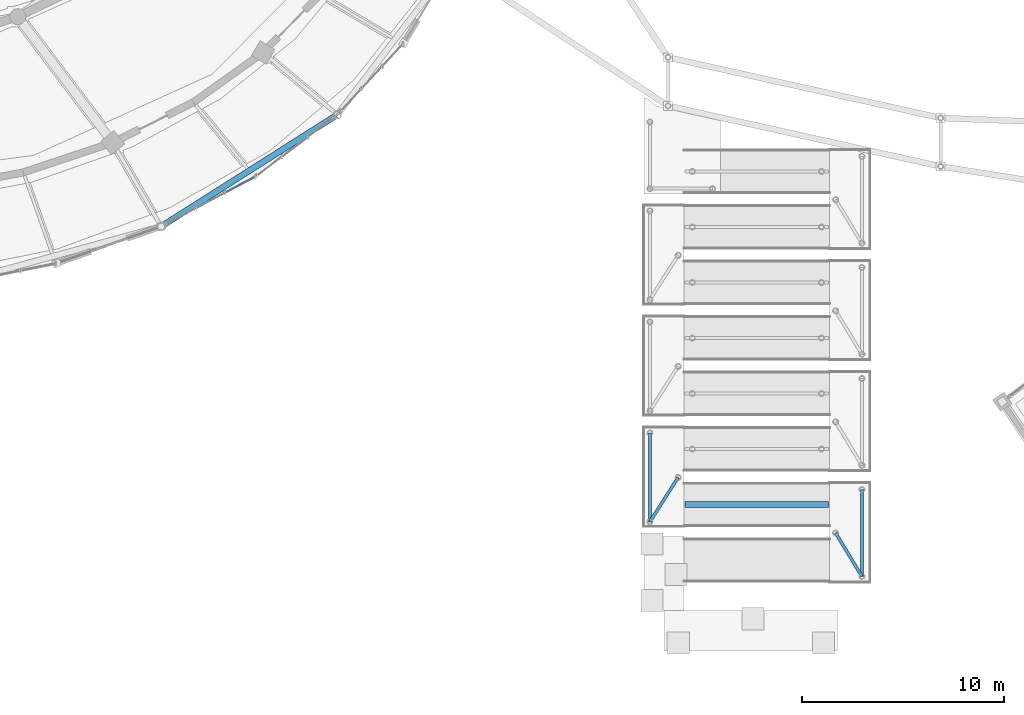
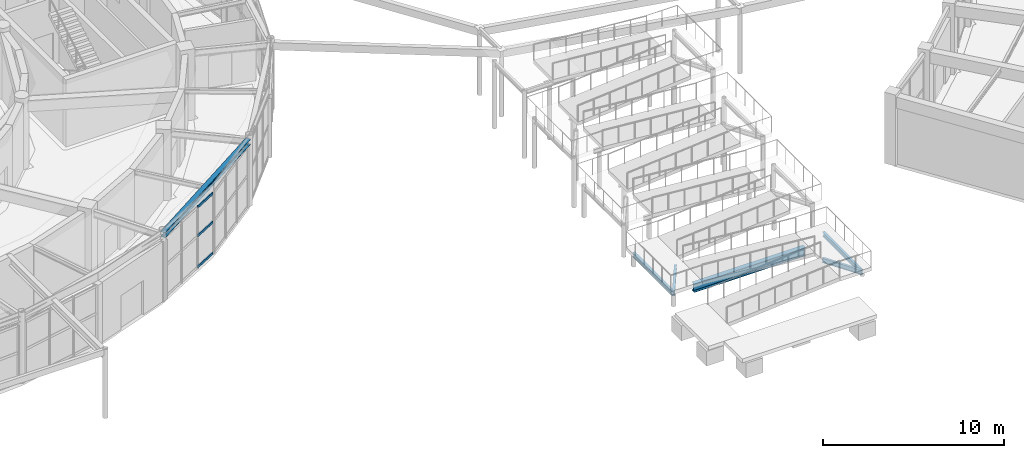
# One storey, part 40 of 108: 6 beams, 3 members, 1 element without a shape of its own.
"""IFC4 building model written with IfcOpenShell, lengths in metres."""

from ifc_helpers import new_model, si_unit, direction, frame, origin, origin_2d, place, context, subcontext, project, spatial, hollow_rectangle, i_section, extrude, material, material_profile, profile_set, type_object, element, aggregate, save


model = new_model("IFC4")

# Units and contexts
model_context = context("Model", 3, precision=1e-05, world=origin(), true_north=direction((0.0, 1.0)))
body_context = subcontext(model_context, "Body", "Model", "MODEL_VIEW")
ifc_project = project(units=[si_unit("LENGTHUNIT", "METRE"), si_unit("AREAUNIT", "SQUARE_METRE"), si_unit("VOLUMEUNIT", "CUBIC_METRE"), si_unit("PLANEANGLEUNIT", "RADIAN"), si_unit("MASSUNIT", "GRAM", prefix="KILO")], contexts=[model_context])

# Site, building, storey
site_placement = place(None, origin())
site = spatial("IfcSite", under=ifc_project, at=site_placement, CompositionType="ELEMENT")
building_placement = place(site_placement, origin())
building = spatial("IfcBuilding", under=site, at=building_placement, Name="Tarnveldt Headland Concert Hall", CompositionType="ELEMENT")
storey_placement = place(building_placement, origin())
storey = spatial("IfcBuildingStorey", under=building, at=storey_placement, Name="L00", CompositionType="ELEMENT", Elevation=0.0)

# Beams
ifc_material_1 = material(Name="Steel S355", Category="steel")
ifc_material_profile_1 = material_profile(ifc_material_1, i_section(OverallWidth=0.300048828125, OverallDepth=0.35009765625, WebThickness=0.010009765625, FlangeThickness=0.017578125, FilletRadius=0.027099609375, at=origin_2d()), Name="HEA360", Category="steel")
ifc_profile_set_1 = profile_set([ifc_material_profile_1], Name="Steel S355")
beam_type_1 = type_object("IfcBeamType", Name="SB-HEA360", PredefinedType="SPANDREL", material=ifc_profile_set_1)
beam_1_placement = place(storey_placement, frame((99.95068359375, 33.0546875, 4.344970703125), z_axis=(0.844390967344, 0.535727444012, 0.0), x_axis=(-0.535727444012, 0.844390967344, 0.0)))
element("IfcBeam", 1, at=beam_1_placement, inside=storey, type_object=beam_type_1, Name="Framing beam L00-391", PredefinedType="SPANDREL", context=body_context, shape_type="SweptSolid", body=[
    extrude(i_section(OverallWidth=0.300048828125, OverallDepth=0.35009765625, WebThickness=0.010009765625, FlangeThickness=0.017578125, FilletRadius=0.027099609375, at=origin_2d()), origin(), (0.0, 0.0, 1.0), 10.21435546875),
])
ifc_material_profile_2 = material_profile(ifc_material_1, i_section(OverallWidth=0.300048828125, OverallDepth=0.550048828125, WebThickness=0.014892578125, FlangeThickness=0.029052734375, FilletRadius=0.027099609375, at=origin_2d()), Name="HEB550", Category="steel")
ifc_profile_set_2 = profile_set([ifc_material_profile_2], Name="Steel S355")
beam_type_2 = type_object("IfcBeamType", Name="SB-HEB550", PredefinedType="BEAM", material=ifc_profile_set_2)
beam_2_placement = place(storey_placement, frame((125.85009765625, 19.25, 0.10009765625), z_axis=(1.0, 0.0, 0.0), x_axis=(0.0, 1.0, 0.0)))
element("IfcBeam", 2, at=beam_2_placement, inside=storey, type_object=beam_type_2, Name="Ramp flight 2 carrier beam", PredefinedType="BEAM", context=body_context, shape_type="SweptSolid", body=[
    extrude(i_section(OverallWidth=0.300048828125, OverallDepth=0.550048828125, WebThickness=0.014892578125, FlangeThickness=0.029052734375, FilletRadius=0.027099609375, at=origin_2d()), origin(), (0.0, 0.0, 1.0), 7.099853515625),
])
ifc_material_profile_3 = material_profile(ifc_material_1, i_section(OverallWidth=0.14990234375, OverallDepth=0.300048828125, WebThickness=0.007080078125, FlangeThickness=0.0107421875, FilletRadius=0.014892578125, at=origin_2d()), Name="IPE300", Category="steel")
ifc_profile_set_3 = profile_set([ifc_material_profile_3], Name="Steel S355")
beam_type_3 = type_object("IfcBeamType", Name="SB-IPE300", PredefinedType="JOIST", material=ifc_profile_set_3)
beam_3_placement = place(storey_placement, frame((134.60009765625, 15.699951171875, 0.199951171875), z_axis=(0.0, 1.0, 0.0), x_axis=(-1.0, 0.0, 0.0)))
element("IfcBeam", 3, at=beam_3_placement, inside=storey, type_object=beam_type_3, Name="Ramp landing support beam E1S1", PredefinedType="JOIST", context=body_context, shape_type="SweptSolid", body=[
    extrude(i_section(OverallWidth=0.14990234375, OverallDepth=0.300048828125, WebThickness=0.007080078125, FlangeThickness=0.0107421875, FilletRadius=0.014892578125, at=origin_2d()), origin(), (0.0, 0.0, 1.0), 4.300048828125),
])
beam_4_placement = place(storey_placement, frame((133.300048828125, 17.85009765625, 0.199951171875), z_axis=(0.517407755932, -0.855738987134, 0.0), x_axis=(0.855738987134, 0.517407755932, 0.0)))
element("IfcBeam", 4, at=beam_4_placement, inside=storey, type_object=beam_type_3, Name="Ramp landing support beam E1S2", PredefinedType="JOIST", context=body_context, shape_type="SweptSolid", body=[
    extrude(i_section(OverallWidth=0.14990234375, OverallDepth=0.300048828125, WebThickness=0.007080078125, FlangeThickness=0.0107421875, FilletRadius=0.014892578125, at=origin_2d()), origin(), (0.0, 0.0, 1.0), 2.5126953125),
])
beam_5_placement = place(storey_placement, frame((124.10009765625, 18.39990234375, 0.800048828125), z_axis=(0.0, 1.0, 0.0), x_axis=(-1.0, 0.0, 0.0)))
element("IfcBeam", 5, at=beam_5_placement, inside=storey, type_object=beam_type_3, Name="Ramp landing support beam W1S1", PredefinedType="JOIST", context=body_context, shape_type="SweptSolid", body=[
    extrude(i_section(OverallWidth=0.14990234375, OverallDepth=0.300048828125, WebThickness=0.007080078125, FlangeThickness=0.0107421875, FilletRadius=0.014892578125, at=origin_2d()), origin(), (0.0, 0.0, 1.0), 4.400146484375),
])
beam_6_placement = place(storey_placement, frame((125.5, 20.60009765625, 0.800048828125), z_axis=(-0.536814913407, -0.843700034813, 0.0), x_axis=(0.843700034813, -0.536814913407, 0.0)))
element("IfcBeam", 6, at=beam_6_placement, inside=storey, type_object=beam_type_3, Name="Ramp landing support beam W1S2", PredefinedType="JOIST", context=body_context, shape_type="SweptSolid", body=[
    extrude(i_section(OverallWidth=0.14990234375, OverallDepth=0.300048828125, WebThickness=0.007080078125, FlangeThickness=0.0107421875, FilletRadius=0.014892578125, at=origin_2d()), origin(), (0.0, 0.0, 1.0), 2.60791015625),
])

# Curtain wall, members
ifc_material_2 = material(Name="Marine-anodised aluminium EN AW-6063-T6", Category="aluminium")
curtain_wall_type = type_object("IfcCurtainWallType", Name="CW-F1", PredefinedType="NOTDEFINED", material=ifc_material_2)
curtain_wall_placement = place(storey_placement, origin())
curtain_wall = element("IfcCurtainWall", 7, at=curtain_wall_placement, inside=storey, type_object=curtain_wall_type, Name="Curtain wall CW-L00-022", PredefinedType="NOTDEFINED")
ifc_material_profile_4 = material_profile(ifc_material_2, hollow_rectangle(XDim=0.074951171875, YDim=0.159912109375, WallThickness=0.00390625, at=origin_2d()), Name="ALU TRANSOM 75x160x4", Category="aluminium")
ifc_profile_set_4 = profile_set([ifc_material_profile_4], Name="Marine-anodised aluminium EN AW-6063-T6")
member_type = type_object("IfcMemberType", Name="TR-160", PredefinedType="MEMBER", material=ifc_profile_set_4)
member_1_placement = place(storey_placement, frame((103.114013671875, 34.72412109375, 0.050048828125), z_axis=(0.883787916347, 0.467887720419, 0.0), x_axis=(-0.467887720419, 0.883787916347, 0.0)))
member_1 = element("IfcMember", 8, at=member_1_placement, type_object=member_type, Name="Transom CW-L00-022-3-1", PredefinedType="MEMBER", context=body_context, shape_type="SweptSolid", body=[
    extrude(hollow_rectangle(XDim=0.074951171875, YDim=0.159912109375, WallThickness=0.00390625, at=origin_2d()), origin(), (0.0, 0.0, 1.0), 1.5732421875),
])
member_2_placement = place(storey_placement, frame((103.114013671875, 34.72412109375, 2.15283203125), z_axis=(0.883787916347, 0.467887720419, 0.0), x_axis=(-0.467887720419, 0.883787916347, 0.0)))
member_2 = element("IfcMember", 9, at=member_2_placement, type_object=member_type, Name="Transom CW-L00-022-3-2", PredefinedType="MEMBER", context=body_context, shape_type="SweptSolid", body=[
    extrude(hollow_rectangle(XDim=0.074951171875, YDim=0.159912109375, WallThickness=0.00390625, at=origin_2d()), origin(), (0.0, 0.0, 1.0), 1.5732421875),
])
member_3_placement = place(storey_placement, frame((103.114013671875, 34.72412109375, 4.090087890625), z_axis=(0.883787916347, 0.467887720419, 0.0), x_axis=(-0.467887720419, 0.883787916347, 0.0)))
member_3 = element("IfcMember", 10, at=member_3_placement, type_object=member_type, Name="Transom CW-L00-022-3-3", PredefinedType="MEMBER", context=body_context, shape_type="SweptSolid", body=[
    extrude(hollow_rectangle(XDim=0.074951171875, YDim=0.159912109375, WallThickness=0.00390625, at=origin_2d()), origin(), (0.0, 0.0, 1.0), 1.5732421875),
])
aggregate(curtain_wall, [member_1, member_2, member_3])

save(model, "model.ifc")
